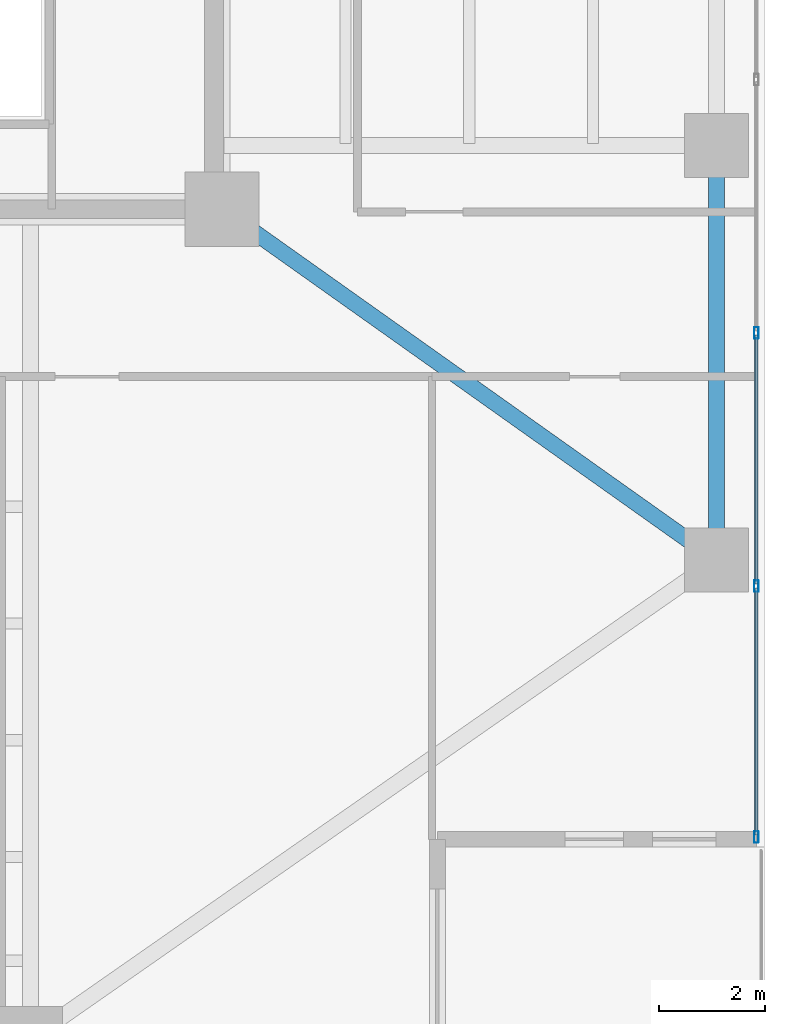
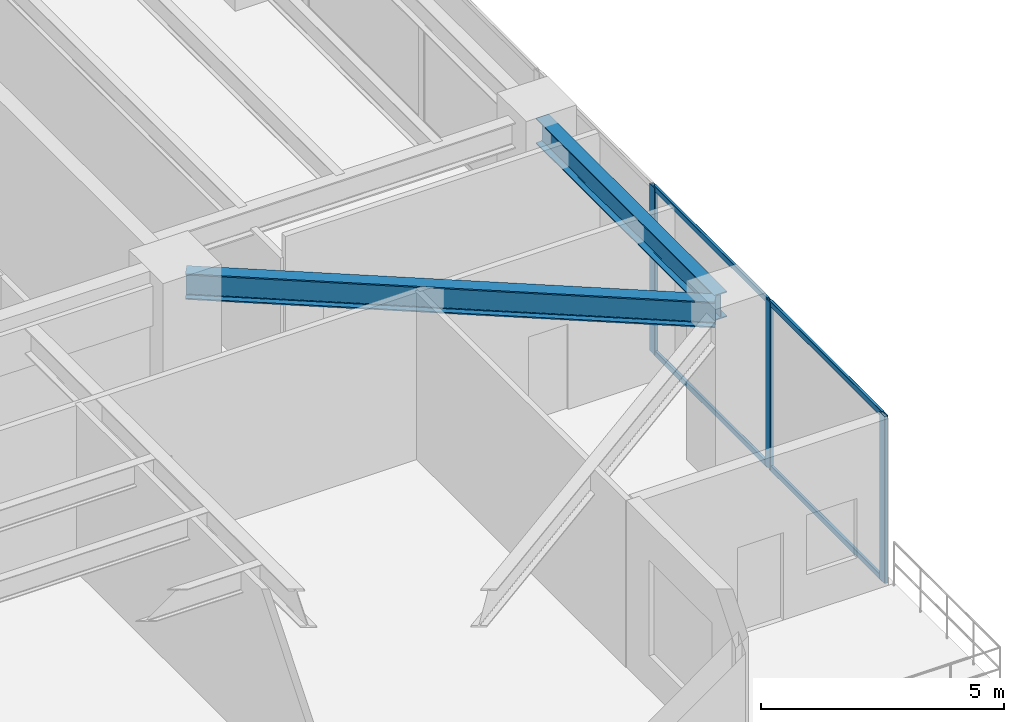
# One storey, part 13 of 39: 7 members, 2 beams, 1 element without a shape of its own.
"""IFC4 building model written with IfcOpenShell, lengths in metres."""

from ifc_helpers import new_model, si_unit, direction, frame, origin, origin_2d, place, context, subcontext, project, spatial, hollow_rectangle, i_section, extrude, material, layer, layer_set, material_profile, profile_set, type_object, element, aggregate, save


model = new_model("IFC4")

# Units and contexts
model_context = context("Model", 3, precision=1e-05, world=origin(), true_north=direction((0.0, 1.0)))
body_context = subcontext(model_context, "Body", "Model", "MODEL_VIEW")
ifc_project = project(units=[si_unit("LENGTHUNIT", "METRE"), si_unit("AREAUNIT", "SQUARE_METRE"), si_unit("VOLUMEUNIT", "CUBIC_METRE"), si_unit("PLANEANGLEUNIT", "RADIAN"), si_unit("MASSUNIT", "GRAM", prefix="KILO")], contexts=[model_context])

# Site, building, storey
site_placement = place(None, origin())
site = spatial("IfcSite", under=ifc_project, at=site_placement, CompositionType="ELEMENT")
building_placement = place(site_placement, origin())
building = spatial("IfcBuilding", under=site, at=building_placement, Name="Tarnavaz Court Tower", CompositionType="ELEMENT")
storey_placement = place(building_placement, frame((0.0, 0.0, 68.699951171875)))
storey = spatial("IfcBuildingStorey", under=building, at=storey_placement, Name="L18", CompositionType="ELEMENT", Elevation=68.699951171875)

# Beams
ifc_material_1 = material(Name="Steel S355", Category="steel")
ifc_material_profile_1 = material_profile(ifc_material_1, i_section(OverallWidth=0.300048828125, OverallDepth=0.64990234375, WebThickness=0.01611328125, FlangeThickness=0.031005859375, FilletRadius=0.027099609375, at=origin_2d()), Name="HEB 650")
ifc_profile_set_1 = profile_set([ifc_material_profile_1], Name="Steel S355")
beam_type_1 = type_object("IfcBeamType", Name="BM-G-HEB650", PredefinedType="USERDEFINED", material=ifc_profile_set_1)
beam_1_placement = place(storey_placement, frame((18.779296875, -7.327392578125, 3.875), z_axis=(0.815520027245, -0.578728852886, 0.0), x_axis=(0.578728852886, 0.815520027245, 0.0)))
element("IfcBeam", 1, at=beam_1_placement, inside=storey, type_object=beam_type_1, Name="L18 Beam RG-11", ObjectType="GIRDER", PredefinedType="USERDEFINED", context=body_context, shape_type="SweptSolid", body=[
    extrude(i_section(OverallWidth=0.300048828125, OverallDepth=0.64990234375, WebThickness=0.01611328125, FlangeThickness=0.031005859375, FilletRadius=0.027099609375, at=origin_2d()), origin(), (0.0, 0.0, 1.0), 10.964111328125),
])
ifc_material_profile_2 = material_profile(ifc_material_1, i_section(OverallWidth=0.300048828125, OverallDepth=0.639892578125, WebThickness=0.013427734375, FlangeThickness=0.02587890625, FilletRadius=0.027099609375, at=origin_2d()), Name="HEA 650")
ifc_profile_set_2 = profile_set([ifc_material_profile_2], Name="Steel S355")
beam_type_2 = type_object("IfcBeamType", Name="BM-SP-HEA650", PredefinedType="SPANDREL", material=ifc_profile_set_2)
beam_2_placement = place(storey_placement, frame((27.89990234375, -13.580078125, 3.880126953125), z_axis=(0.0, 1.0, 0.0), x_axis=(-1.0, 0.0, 0.0)))
element("IfcBeam", 2, at=beam_2_placement, inside=storey, type_object=beam_type_2, Name="L18 Beam PR-PE-1-PE-2", PredefinedType="SPANDREL", context=body_context, shape_type="SweptSolid", body=[
    extrude(i_section(OverallWidth=0.300048828125, OverallDepth=0.639892578125, WebThickness=0.013427734375, FlangeThickness=0.02587890625, FilletRadius=0.027099609375, at=origin_2d()), origin(), (0.0, 0.0, 1.0), 7.360107421875),
])

# Curtain wall, members
ifc_material_2 = material(Name="Anodised Aluminium 6063-T6 and Solar Low-E Glazing", Category="aluminium")
ifc_layer = layer(ifc_material_2, 0.199951171875)
ifc_layer_set = layer_set([ifc_layer], Name="Anodised Aluminium 6063-T6 and Solar Low-E Glazing")
curtain_wall_type = type_object("IfcCurtainWallType", Name="CW-SYS-05", PredefinedType="NOTDEFINED", material=ifc_layer_set)
curtain_wall_placement = place(storey_placement, origin())
curtain_wall = element("IfcCurtainWall", 3, at=curtain_wall_placement, inside=storey, type_object=curtain_wall_type, Name="L18 Sky-Portal Curtain Wall 12", PredefinedType="NOTDEFINED")
ifc_material_3 = material(Name="Anodised Aluminium 6063-T6", Category="aluminium")
ifc_material_profile_3 = material_profile(ifc_material_3, hollow_rectangle(XDim=0.0849609375, YDim=0.219970703125, WallThickness=0.006103515625, InnerFilletRadius=0.006103515625, OuterFilletRadius=0.011962890625, at=origin_2d()), Name="ALU RHS 220X85X6")
ifc_profile_set_3 = profile_set([ifc_material_profile_3], Name="Anodised Aluminium 6063-T6")
member_type_1 = type_object("IfcMemberType", Name="CW-MUL-220", PredefinedType="MULLION", material=ifc_profile_set_3)
member_1_placement = place(storey_placement, frame((28.64990234375, -9.52490234375, 0.0), z_axis=(0.0, 0.0, 1.0), x_axis=(1.0, 0.0, 0.0)))
member_1 = element("IfcMember", 4, at=member_1_placement, type_object=member_type_1, Name="CW mullion 7", PredefinedType="MULLION", context=body_context, shape_type="SweptSolid", body=[
    extrude(hollow_rectangle(XDim=0.0849609375, YDim=0.219970703125, WallThickness=0.006103515625, InnerFilletRadius=0.006103515625, OuterFilletRadius=0.011962890625, at=origin_2d()), origin(), (0.0, 0.0, 1.0), 4.199951171875),
])
member_2_placement = place(storey_placement, frame((28.64990234375, -14.28759765625, 0.0), z_axis=(0.0, 0.0, 1.0), x_axis=(1.0, 0.0, 0.0)))
member_2 = element("IfcMember", 5, at=member_2_placement, type_object=member_type_1, Name="CW mullion 8", PredefinedType="MULLION", context=body_context, shape_type="SweptSolid", body=[
    extrude(hollow_rectangle(XDim=0.0849609375, YDim=0.219970703125, WallThickness=0.006103515625, InnerFilletRadius=0.006103515625, OuterFilletRadius=0.011962890625, at=origin_2d()), origin(), (0.0, 0.0, 1.0), 4.199951171875),
])
member_3_placement = place(storey_placement, frame((28.64990234375, -19.007568359375, 0.0), z_axis=(0.0, 0.0, 1.0), x_axis=(1.0, 0.0, 0.0)))
member_3 = element("IfcMember", 6, at=member_3_placement, type_object=member_type_1, Name="CW mullion 9", PredefinedType="MULLION", context=body_context, shape_type="SweptSolid", body=[
    extrude(hollow_rectangle(XDim=0.0849609375, YDim=0.219970703125, WallThickness=0.006103515625, InnerFilletRadius=0.006103515625, OuterFilletRadius=0.011962890625, at=origin_2d()), origin(), (0.0, 0.0, 1.0), 4.199951171875),
])
ifc_material_profile_4 = material_profile(ifc_material_3, hollow_rectangle(XDim=0.06494140625, YDim=0.139892578125, WallThickness=0.00390625, InnerFilletRadius=0.00390625, OuterFilletRadius=0.008056640625, at=origin_2d()), Name="ALU RHS 140X65X4")
ifc_profile_set_4 = profile_set([ifc_material_profile_4], Name="Anodised Aluminium 6063-T6")
member_type_2 = type_object("IfcMemberType", Name="CW-TRN-140", PredefinedType="USERDEFINED", material=ifc_profile_set_4)
member_4_placement = place(storey_placement, frame((28.64990234375, -9.5673828125, 0.032470703125), z_axis=(0.0, -1.0, 0.0), x_axis=(1.0, 0.0, 0.0)))
member_4 = element("IfcMember", 7, at=member_4_placement, type_object=member_type_2, Name="CW transom 7.1", ObjectType="TRANSOM", PredefinedType="USERDEFINED", context=body_context, shape_type="SweptSolid", body=[
    extrude(hollow_rectangle(XDim=0.06494140625, YDim=0.139892578125, WallThickness=0.00390625, InnerFilletRadius=0.00390625, OuterFilletRadius=0.008056640625, at=origin_2d()), origin(), (0.0, 0.0, 1.0), 4.677734375),
])
member_5_placement = place(storey_placement, frame((28.64990234375, -9.5673828125, 4.16748046875), z_axis=(0.0, -1.0, 0.0), x_axis=(1.0, 0.0, 0.0)))
member_5 = element("IfcMember", 8, at=member_5_placement, type_object=member_type_2, Name="CW transom 7.2", ObjectType="TRANSOM", PredefinedType="USERDEFINED", context=body_context, shape_type="SweptSolid", body=[
    extrude(hollow_rectangle(XDim=0.06494140625, YDim=0.139892578125, WallThickness=0.00390625, InnerFilletRadius=0.00390625, OuterFilletRadius=0.008056640625, at=origin_2d()), origin(), (0.0, 0.0, 1.0), 4.677734375),
])
member_6_placement = place(storey_placement, frame((28.64990234375, -14.330078125, 0.032470703125), z_axis=(0.0, -1.0, 0.0), x_axis=(1.0, 0.0, 0.0)))
member_6 = element("IfcMember", 9, at=member_6_placement, type_object=member_type_2, Name="CW transom 8.1", ObjectType="TRANSOM", PredefinedType="USERDEFINED", context=body_context, shape_type="SweptSolid", body=[
    extrude(hollow_rectangle(XDim=0.06494140625, YDim=0.139892578125, WallThickness=0.00390625, InnerFilletRadius=0.00390625, OuterFilletRadius=0.008056640625, at=origin_2d()), origin(), (0.0, 0.0, 1.0), 4.635009765625),
])
member_7_placement = place(storey_placement, frame((28.64990234375, -14.330078125, 4.16748046875), z_axis=(0.0, -1.0, 0.0), x_axis=(1.0, 0.0, 0.0)))
member_7 = element("IfcMember", 10, at=member_7_placement, type_object=member_type_2, Name="CW transom 8.2", ObjectType="TRANSOM", PredefinedType="USERDEFINED", context=body_context, shape_type="SweptSolid", body=[
    extrude(hollow_rectangle(XDim=0.06494140625, YDim=0.139892578125, WallThickness=0.00390625, InnerFilletRadius=0.00390625, OuterFilletRadius=0.008056640625, at=origin_2d()), origin(), (0.0, 0.0, 1.0), 4.635009765625),
])
aggregate(curtain_wall, [member_1, member_2, member_3, member_4, member_5, member_6, member_7])

save(model, "model.ifc")
